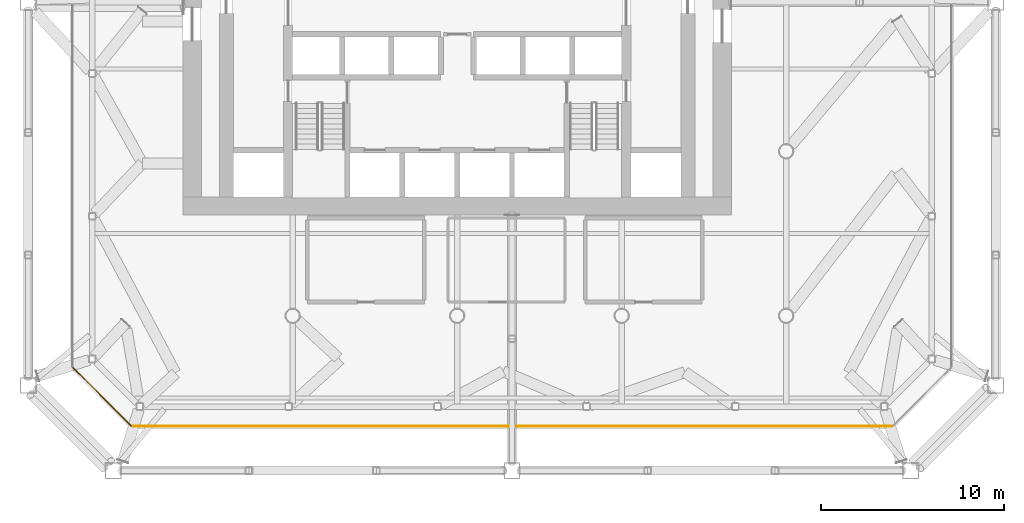
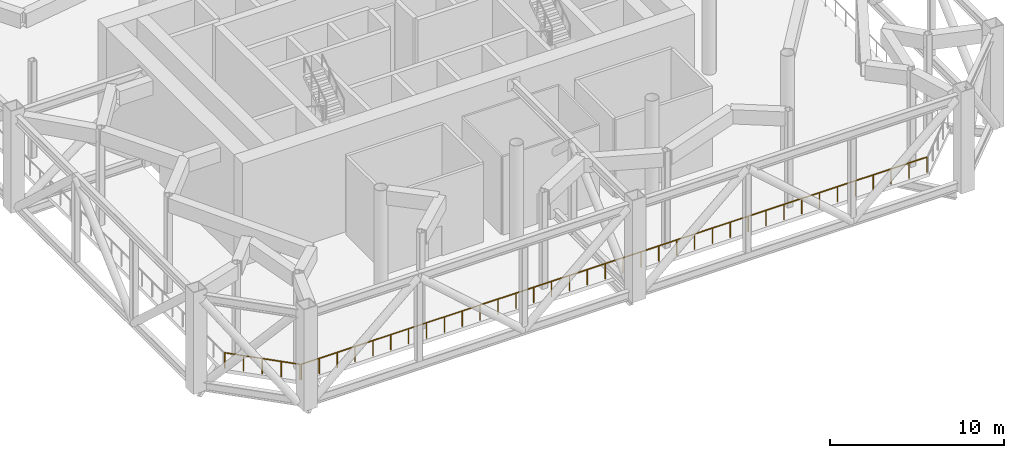
# One storey, part 14 of 20: 2 railings.
"""IFC4 building model written with IfcOpenShell, lengths in metres."""

from ifc_helpers import new_model, si_unit, direction, frame, origin, origin_2d, place, context, subcontext, project, spatial, circle, extrude, material, type_object, element, save


model = new_model("IFC4")

# Units and contexts
model_context = context("Model", 3, precision=1e-05, world=origin(), true_north=direction((0.0, 1.0)))
body_context = subcontext(model_context, "Body", "Model", "MODEL_VIEW")
ifc_project = project(units=[si_unit("LENGTHUNIT", "METRE"), si_unit("AREAUNIT", "SQUARE_METRE"), si_unit("VOLUMEUNIT", "CUBIC_METRE"), si_unit("PLANEANGLEUNIT", "RADIAN"), si_unit("MASSUNIT", "GRAM", prefix="KILO")], contexts=[model_context])

# Site, building, storey
site_placement = place(None, origin())
site = spatial("IfcSite", under=ifc_project, at=site_placement, CompositionType="ELEMENT")
building_placement = place(site_placement, origin())
building = spatial("IfcBuilding", under=site, at=building_placement, Name="Tskaro Facet Tower", CompositionType="ELEMENT")
storey_placement = place(building_placement, frame((0.0, 0.0, 114.300048828125)))
storey = spatial("IfcBuildingStorey", under=building, at=storey_placement, Name="L27", CompositionType="ELEMENT", Elevation=114.300048828125)

# Railings
ifc_material = material(Name="Bronze anodised aluminium 6063-T6", Category="aluminium")
railing_type = type_object("IfcRailingType", Name="Bronze guard rail (GD1)", PredefinedType="GUARDRAIL", material=ifc_material)
railing_1_placement = place(storey_placement, frame((-17.76611328125, -24.044921875, 0.0)))
element("IfcRailing", 1, at=railing_1_placement, inside=storey, type_object=railing_type, Name="Guard L27", PredefinedType="GUARDRAIL", context=body_context, shape_type="SweptSolid", body=[
    extrude(circle(Radius=0.02490234375, at=origin_2d()), frame((0.0, 0.0, 1.0751953125), z_axis=(1.0, 0.0, 0.0), x_axis=(0.0, 1.0, 0.0)), (0.0, 0.0, 1.0), 41.5322265625),
    extrude(circle(Radius=0.02001953125, at=origin_2d()), origin(), (0.0, 0.0, 1.0), 1.050048828125),
    extrude(circle(Radius=0.02001953125, at=origin_2d()), frame((1.1865234375, 0.0, 0.0)), (0.0, 0.0, 1.0), 1.050048828125),
    extrude(circle(Radius=0.02001953125, at=origin_2d()), frame((2.373291015625, 0.0, 0.0)), (0.0, 0.0, 1.0), 1.050048828125),
    extrude(circle(Radius=0.02001953125, at=origin_2d()), frame((3.559814453125, 0.0, 0.0)), (0.0, 0.0, 1.0), 1.050048828125),
    extrude(circle(Radius=0.02001953125, at=origin_2d()), frame((4.74658203125, 0.0, 0.0)), (0.0, 0.0, 1.0), 1.050048828125),
    extrude(circle(Radius=0.02001953125, at=origin_2d()), frame((5.93310546875, 0.0, 0.0)), (0.0, 0.0, 1.0), 1.050048828125),
    extrude(circle(Radius=0.02001953125, at=origin_2d()), frame((7.119873046875, 0.0, 0.0)), (0.0, 0.0, 1.0), 1.050048828125),
    extrude(circle(Radius=0.02001953125, at=origin_2d()), frame((8.306396484375, 0.0, 0.0)), (0.0, 0.0, 1.0), 1.050048828125),
    extrude(circle(Radius=0.02001953125, at=origin_2d()), frame((9.4931640625, 0.0, 0.0)), (0.0, 0.0, 1.0), 1.050048828125),
    extrude(circle(Radius=0.02001953125, at=origin_2d()), frame((10.6796875, 0.0, 0.0)), (0.0, 0.0, 1.0), 1.050048828125),
    extrude(circle(Radius=0.02001953125, at=origin_2d()), frame((11.866455078125, 0.0, 0.0)), (0.0, 0.0, 1.0), 1.050048828125),
    extrude(circle(Radius=0.02001953125, at=origin_2d()), frame((13.052978515625, 0.0, 0.0)), (0.0, 0.0, 1.0), 1.050048828125),
    extrude(circle(Radius=0.02001953125, at=origin_2d()), frame((14.239501953125, 0.0, 0.0)), (0.0, 0.0, 1.0), 1.050048828125),
    extrude(circle(Radius=0.02001953125, at=origin_2d()), frame((15.42626953125, 0.0, 0.0)), (0.0, 0.0, 1.0), 1.050048828125),
    extrude(circle(Radius=0.02001953125, at=origin_2d()), frame((16.61279296875, 0.0, 0.0)), (0.0, 0.0, 1.0), 1.050048828125),
    extrude(circle(Radius=0.02001953125, at=origin_2d()), frame((17.799560546875, 0.0, 0.0)), (0.0, 0.0, 1.0), 1.050048828125),
    extrude(circle(Radius=0.02001953125, at=origin_2d()), frame((18.986083984375, 0.0, 0.0)), (0.0, 0.0, 1.0), 1.050048828125),
    extrude(circle(Radius=0.02001953125, at=origin_2d()), frame((20.1728515625, 0.0, 0.0)), (0.0, 0.0, 1.0), 1.050048828125),
    extrude(circle(Radius=0.02001953125, at=origin_2d()), frame((21.359375, 0.0, 0.0)), (0.0, 0.0, 1.0), 1.050048828125),
    extrude(circle(Radius=0.02001953125, at=origin_2d()), frame((22.546142578125, 0.0, 0.0)), (0.0, 0.0, 1.0), 1.050048828125),
    extrude(circle(Radius=0.02001953125, at=origin_2d()), frame((23.732666015625, 0.0, 0.0)), (0.0, 0.0, 1.0), 1.050048828125),
    extrude(circle(Radius=0.02001953125, at=origin_2d()), frame((24.91943359375, 0.0, 0.0)), (0.0, 0.0, 1.0), 1.050048828125),
    extrude(circle(Radius=0.02001953125, at=origin_2d()), frame((26.10595703125, 0.0, 0.0)), (0.0, 0.0, 1.0), 1.050048828125),
    extrude(circle(Radius=0.02001953125, at=origin_2d()), frame((27.292724609375, 0.0, 0.0)), (0.0, 0.0, 1.0), 1.050048828125),
    extrude(circle(Radius=0.02001953125, at=origin_2d()), frame((28.479248046875, 0.0, 0.0)), (0.0, 0.0, 1.0), 1.050048828125),
    extrude(circle(Radius=0.02001953125, at=origin_2d()), frame((29.665771484375, 0.0, 0.0)), (0.0, 0.0, 1.0), 1.050048828125),
    extrude(circle(Radius=0.02001953125, at=origin_2d()), frame((30.8525390625, 0.0, 0.0)), (0.0, 0.0, 1.0), 1.050048828125),
    extrude(circle(Radius=0.02001953125, at=origin_2d()), frame((32.0390625, 0.0, 0.0)), (0.0, 0.0, 1.0), 1.050048828125),
    extrude(circle(Radius=0.02001953125, at=origin_2d()), frame((33.225830078125, 0.0, 0.0)), (0.0, 0.0, 1.0), 1.050048828125),
    extrude(circle(Radius=0.02001953125, at=origin_2d()), frame((34.412353515625, 0.0, 0.0)), (0.0, 0.0, 1.0), 1.050048828125),
    extrude(circle(Radius=0.02001953125, at=origin_2d()), frame((35.59912109375, 0.0, 0.0)), (0.0, 0.0, 1.0), 1.050048828125),
    extrude(circle(Radius=0.02001953125, at=origin_2d()), frame((36.78564453125, 0.0, 0.0)), (0.0, 0.0, 1.0), 1.050048828125),
    extrude(circle(Radius=0.02001953125, at=origin_2d()), frame((37.972412109375, 0.0, 0.0)), (0.0, 0.0, 1.0), 1.050048828125),
    extrude(circle(Radius=0.02001953125, at=origin_2d()), frame((39.158935546875, 0.0, 0.0)), (0.0, 0.0, 1.0), 1.050048828125),
    extrude(circle(Radius=0.02001953125, at=origin_2d()), frame((40.345703125, 0.0, 0.0)), (0.0, 0.0, 1.0), 1.050048828125),
    extrude(circle(Radius=0.02001953125, at=origin_2d()), frame((41.5322265625, 0.0, 0.0)), (0.0, 0.0, 1.0), 1.050048828125),
])
railing_2_placement = place(storey_placement, frame((-21.01318359375, -20.8427734375, 0.0)))
element("IfcRailing", 2, at=railing_2_placement, inside=storey, type_object=railing_type, Name="Guard L27", PredefinedType="GUARDRAIL", context=body_context, shape_type="SweptSolid", body=[
    extrude(circle(Radius=0.02490234375, at=origin_2d()), frame((0.0, 0.0, 1.0751953125), z_axis=(0.707106781187, -0.707106781187, 0.0), x_axis=(0.707106781187, 0.707106781187, 0.0)), (0.0, 0.0, 1.0), 4.483642578125),
    extrude(circle(Radius=0.02001953125, at=origin_2d()), origin(), (0.0, 0.0, 1.0), 1.050048828125),
    extrude(circle(Radius=0.02001953125, at=origin_2d()), frame((0.79248046875, -0.79248046875, 0.0)), (0.0, 0.0, 1.0), 1.050048828125),
    extrude(circle(Radius=0.02001953125, at=origin_2d()), frame((1.585205078125, -1.585205078125, 0.0)), (0.0, 0.0, 1.0), 1.050048828125),
    extrude(circle(Radius=0.02001953125, at=origin_2d()), frame((2.3779296875, -2.3779296875, 0.0)), (0.0, 0.0, 1.0), 1.050048828125),
    extrude(circle(Radius=0.02001953125, at=origin_2d()), frame((3.17041015625, -3.17041015625, 0.0)), (0.0, 0.0, 1.0), 1.050048828125),
])

save(model, "model.ifc")
